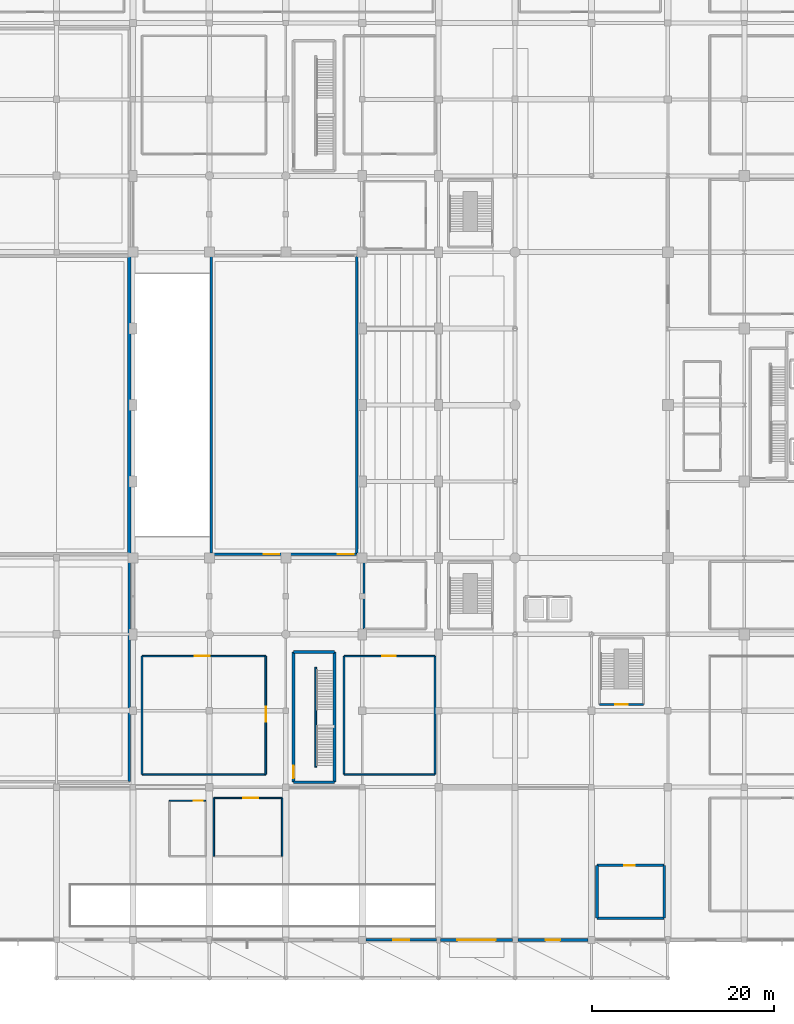
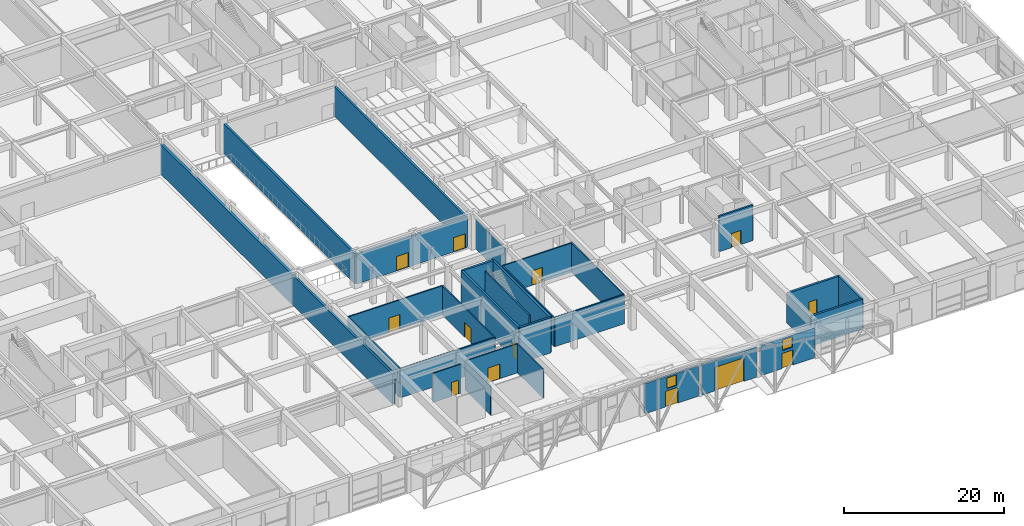
# One storey, part 43 of 62: 31 walls, 13 doors, 2 windows, 15 openings.
"""IFC4 building model written with IfcOpenShell, lengths in metres."""

import ifcopenshell
import ifcopenshell.guid

model = None  # the IFC model being written
_history = None  # IfcOwnerHistory: only IFC2X3 demands one
_inside = {}  # id of a spatial element -> (the spatial element, [elements in it])
_under = {}  # id of a project, library or spatial element -> (it, [spatial elements below it])
_declared = {}  # id of a project -> (the project, [libraries it declares])
_typed = {}  # id of a type object -> (the type object, [elements of that type])
_made_of = {}  # id of a material, layer set ... -> (it, [elements and type objects made of it])


def new_model(schema):
    """Start an empty IFC model of exactly this schema.

    Asked for "IFC4X3", IfcOpenShell would pick the latest addendum, in which some entities
    have other attributes; the version numbers below select the first issue.
    IFC2X3 requires an IfcOwnerHistory on every rooted entity: one is made here for all.
    """
    global model, _history
    if schema == "IFC4X3":
        model = ifcopenshell.file(schema_version=(4, 3, 0, 0))
    else:
        model = ifcopenshell.file(schema=schema)
    _inside.clear()
    _under.clear()
    _declared.clear()
    _typed.clear()
    _made_of.clear()
    _history = None
    if model.schema == "IFC2X3":
        org = make("IfcOrganization", Name="unknown")
        user = make(
            "IfcPersonAndOrganization",
            ThePerson=make("IfcPerson", FamilyName="unknown"),
            TheOrganization=org,
        )
        app = make(
            "IfcApplication",
            ApplicationDeveloper=org,
            Version="unknown",
            ApplicationFullName="unknown",
            ApplicationIdentifier="unknown",
        )
        _history = make(
            "IfcOwnerHistory",
            OwningUser=user,
            OwningApplication=app,
            ChangeAction="ADDED",
            CreationDate=0,
        )
    return model


def make(cls, **values):
    """One entity of the class cls with the attributes given. An attribute that is None is left unset."""
    return model.create_entity(
        cls, **{name: value for name, value in values.items() if value is not None}
    )


def rooted(cls, **values):
    """An entity with a GlobalId (a new one), such as an element, a storey or a relation."""
    return make(cls, GlobalId=ifcopenshell.guid.new(), OwnerHistory=_history, **values)


def si_unit(unit_type, name, prefix=None):
    """IfcSIUnit, for example si_unit("LENGTHUNIT", "METRE", prefix="MILLI")."""
    return make("IfcSIUnit", UnitType=unit_type, Prefix=prefix, Name=name)


def assignment(units):
    """IfcUnitAssignment: the units of a project."""
    return None if units is None else make("IfcUnitAssignment", Units=units)


def point(xyz):
    """IfcCartesianPoint."""
    return None if xyz is None else make("IfcCartesianPoint", Coordinates=xyz)


def direction(xyz):
    """IfcDirection."""
    return None if xyz is None else make("IfcDirection", DirectionRatios=xyz)


def frame(location, z_axis=None, x_axis=None):
    """IfcAxis2Placement3D, a coordinate frame: its origin and axes. An axis left out is left unset."""
    return make(
        "IfcAxis2Placement3D",
        Location=point(location),
        Axis=direction(z_axis),
        RefDirection=direction(x_axis),
    )


def frame_2d(location, x_axis=None):
    """IfcAxis2Placement2D, a coordinate frame in the plane: its origin and x axis."""
    return make(
        "IfcAxis2Placement2D", Location=point(location), RefDirection=direction(x_axis)
    )


def origin():
    """The frame at (0, 0, 0) with its axes left unset."""
    return frame((0.0, 0.0, 0.0))


def place(relative_to, where):
    """IfcLocalPlacement: puts the frame where relative to a parent placement (None: the world)."""
    return make(
        "IfcLocalPlacement", PlacementRelTo=relative_to, RelativePlacement=where
    )


def context(
    kind, dimensions, precision=None, world=None, true_north=None, identifier=None
):
    """IfcGeometricRepresentationContext, for example the 3D "Model" context."""
    return make(
        "IfcGeometricRepresentationContext",
        ContextIdentifier=identifier,
        ContextType=kind,
        CoordinateSpaceDimension=dimensions,
        Precision=precision,
        WorldCoordinateSystem=world,
        TrueNorth=true_north,
    )


def subcontext(parent, identifier, kind, view, scale=None):
    """IfcGeometricRepresentationSubContext, for example "Body" below "Model"."""
    return make(
        "IfcGeometricRepresentationSubContext",
        ContextIdentifier=identifier,
        ContextType=kind,
        ParentContext=parent,
        TargetScale=scale,
        TargetView=view,
    )


def project(units=None, contexts=None):
    """IfcProject with its units and contexts."""
    return rooted(
        "IfcProject",
        Name="project",
        RepresentationContexts=contexts,
        UnitsInContext=assignment(units),
    )


def spatial(cls, under=None, at=None, **own):
    """A site, building, storey or space (cls), placed at a placement, below another one or the project."""
    s = rooted(cls, ObjectPlacement=at, **own)
    if under is not None:
        _under.setdefault(under.id(), (under, []))[1].append(s)
    return s


def profile(cls, at=None, kind="AREA", **sizes):
    """A parametric profile (cls). Its sizes go by their IFC names, for example OverallWidth=200.0."""
    return make(cls, ProfileType=kind, Position=at, **sizes)


def rectangle(**sizes):
    """IfcRectangleProfileDef."""
    return profile("IfcRectangleProfileDef", **sizes)


def extrude(swept, where, along, depth):
    """IfcExtrudedAreaSolid: the profile swept, set in the frame where, extruded along a direction by depth."""
    return make(
        "IfcExtrudedAreaSolid",
        SweptArea=swept,
        Position=where,
        ExtrudedDirection=direction(along),
        Depth=depth,
    )


def shape(context_of_items, identifier, shape_type, items):
    """IfcShapeRepresentation: the items that make up one representation, for example the "Body"."""
    return make(
        "IfcShapeRepresentation",
        ContextOfItems=context_of_items,
        RepresentationIdentifier=identifier,
        RepresentationType=shape_type,
        Items=items,
    )


def material(Name=None, Category=None):
    """IfcMaterial."""
    return make("IfcMaterial", Name=Name, Category=Category)


def layer(
    of_material, thickness, ventilated=None, Name=None, Category=None, Priority=None
):
    """IfcMaterialLayer: one layer of a wall or slab, of a material (None: an air gap)."""
    return make(
        "IfcMaterialLayer",
        Material=of_material,
        LayerThickness=thickness,
        IsVentilated=ventilated,
        Name=Name,
        Category=Category,
        Priority=Priority,
    )


def layer_set(layers, Name=None):
    """IfcMaterialLayerSet."""
    return make("IfcMaterialLayerSet", MaterialLayers=layers, LayerSetName=Name)


def made_of(thing, what):
    """Note that an element or type object is made of a material, layer set ...; save() writes the relation."""
    if what is not None:
        _made_of.setdefault(what.id(), (what, []))[1].append(thing)
    return thing


def type_object(cls, material=None, **own):
    """A type object (cls), such as IfcWallType, which elements share."""
    return made_of(rooted(cls, **own), material)


def element(
    cls,
    number,
    at=None,
    inside=None,
    cuts=None,
    type_object=None,
    material=None,
    context=None,
    identifier="Body",
    shape_type=None,
    held_by="IfcProductDefinitionShape",
    body=None,
    shapes=None,
    **own,
):
    """One element of the class cls, such as IfcWall. Its Tag is "e" and its number.

    at: its placement. inside: the storey or other place that contains it. cuts: it is an
    opening in that element (IfcRelVoidsElement). A single representation is given by context,
    identifier, shape_type and body (its items); several are given by shapes. held_by: the class
    of the entity that holds the representations. save() writes the other relations.
    """
    e = rooted(cls, Tag="e%d" % number, ObjectPlacement=at, **own)
    if body is not None:
        shapes = [shape(context, identifier, shape_type, body)]
    if shapes is not None:
        e.Representation = make(held_by, Representations=shapes)
    if inside is not None:
        _inside.setdefault(inside.id(), (inside, []))[1].append(e)
    if cuts is not None:
        rooted(
            "IfcRelVoidsElement", RelatingBuildingElement=cuts, RelatedOpeningElement=e
        )
    if type_object is not None:
        _typed.setdefault(type_object.id(), (type_object, []))[1].append(e)
    return made_of(e, material)


def fill(opening, filler):
    """IfcRelFillsElement: the door or window that sits in an opening."""
    return rooted(
        "IfcRelFillsElement",
        RelatingOpeningElement=opening,
        RelatedBuildingElement=filler,
    )


def aggregate(whole, parts):
    """IfcRelAggregates: a whole, such as a stair, and the parts it consists of."""
    return rooted("IfcRelAggregates", RelatingObject=whole, RelatedObjects=parts)


def save(model, path):
    """Write the relations noted so far, then the file.

    IfcRelAggregates (storeys below a building ...), IfcRelContainedInSpatialStructure (elements
    in a storey), IfcRelDefinesByType, IfcRelAssociatesMaterial and IfcRelDeclares: one each for
    every whole, place, type object, material and project.
    """
    for whole, parts in _under.values():
        aggregate(whole, parts)
    for where, things in _inside.values():
        rooted(
            "IfcRelContainedInSpatialStructure",
            RelatedElements=things,
            RelatingStructure=where,
        )
    for kind, things in _typed.values():
        rooted("IfcRelDefinesByType", RelatedObjects=things, RelatingType=kind)
    for what, things in _made_of.values():
        rooted("IfcRelAssociatesMaterial", RelatedObjects=things, RelatingMaterial=what)
    for by, libraries in _declared.values():
        rooted("IfcRelDeclares", RelatingContext=by, RelatedDefinitions=libraries)
    model.write(path)


model = new_model("IFC4")

# Units and contexts
model_context = context("Model", 3, precision=1e-05, world=origin(), true_north=direction((0.0, 1.0)))
body_context = subcontext(model_context, "Body", "Model", "MODEL_VIEW")
ifc_project = project(units=[si_unit("LENGTHUNIT", "METRE"), si_unit("AREAUNIT", "SQUARE_METRE"), si_unit("VOLUMEUNIT", "CUBIC_METRE"), si_unit("PLANEANGLEUNIT", "RADIAN"), si_unit("MASSUNIT", "GRAM", prefix="KILO")], contexts=[model_context])

# Site, building, storey
site_placement = place(None, origin())
site = spatial("IfcSite", under=ifc_project, at=site_placement, CompositionType="ELEMENT")
building_placement = place(site_placement, origin())
building = spatial("IfcBuilding", under=site, at=building_placement, Name="Xuanlan Plaza Opera House", CompositionType="ELEMENT")
storey_placement = place(building_placement, origin())
storey = spatial("IfcBuildingStorey", under=building, at=storey_placement, Name="L00", CompositionType="ELEMENT", Elevation=0.0)

# Wall, opening, door
ifc_material_1 = material(Name="Anodised Aluminium 6063-T6 and Rockwool Cladding", Category="aluminium")
ifc_layer_1 = layer(ifc_material_1, 0.360107421875)
ifc_layer_set_1 = layer_set([ifc_layer_1], Name="Anodised Aluminium 6063-T6 and Rockwool Cladding")
wall_type_1 = type_object("IfcWallType", Name="ENV-WL-EW-01", PredefinedType="STANDARD", material=ifc_layer_set_1)
wall_1_placement = place(storey_placement, frame((101.02490234375, 0.0, 0.0), z_axis=(0.0, 0.0, 1.0), x_axis=(1.0, 0.0, 0.0)))
wall_1 = element("IfcWall", 1, at=wall_1_placement, inside=storey, type_object=wall_type_1, Name="Exterior Wall L00-011", PredefinedType="STANDARD", context=body_context, shape_type="SweptSolid", body=[
    extrude(rectangle(XDim=7.875, YDim=0.360107421875, at=frame_2d((3.9375, 0.0))), origin(), (0.0, 0.0, 1.0), 4.580078125),
])
opening_1_placement = place(wall_1_placement, frame((1.8369140625, 0.0, 0.0)))
opening_1 = element("IfcOpeningElement", 2, at=opening_1_placement, cuts=wall_1, Name="Opening SD-02", PredefinedType="OPENING", context=body_context, shape_type="SweptSolid", body=[
    extrude(rectangle(XDim=4.199951171875, YDim=3.60009765625, at=frame_2d((2.10009765625, 1.800048828125))), frame((0.0, 0.18994140625, 0.0), z_axis=(0.0, -1.0, 0.0), x_axis=(1.0, 0.0, 0.0)), (0.0, 0.0, 1.0), 0.380126953125),
])
ifc_material_2 = material(Name="Galvanised Steel Q235B", Category="steel")
door_type_1 = type_object("IfcDoorType", Name="ENV-DR-SD-02", OperationType="ROLLINGUP", PredefinedType="DOOR", material=ifc_material_2)
door_1_placement = place(opening_1_placement, frame((4.199951171875, 0.0, 0.0), z_axis=(0.0, 0.0, 1.0), x_axis=(-1.0, 0.0, 0.0)))
door_1 = element("IfcDoor", 3, at=door_1_placement, inside=storey, type_object=door_type_1, Name="Basement Parking Vehicle Ramp Roller Shutter Gate", OperationType="ROLLINGUP", OverallHeight=3.60009765625, OverallWidth=4.199951171875, PredefinedType="DOOR", context=body_context, shape_type="SweptSolid", body=[
    extrude(rectangle(XDim=4.199951171875, YDim=3.60009765625, at=frame_2d((2.10009765625, 1.800048828125))), frame((0.0, 0.02490234375, 0.0), z_axis=(0.0, -1.0, 0.0), x_axis=(1.0, 0.0, 0.0)), (0.0, 0.0, 1.0), 0.050048828125),
])
fill(opening_1, door_1)

# Wall, openings, door, window
ifc_layer_2 = layer(ifc_material_1, 0.340087890625)
ifc_layer_set_2 = layer_set([ifc_layer_2], Name="Anodised Aluminium 6063-T6 and Rockwool Cladding")
wall_type_2 = type_object("IfcWallType", Name="ENV-WL-EW-02", PredefinedType="STANDARD", material=ifc_layer_set_2)
wall_2_placement = place(storey_placement, frame((109.5, 0.0, 0.0), z_axis=(0.0, 0.0, 1.0), x_axis=(1.0, 0.0, 0.0)))
wall_2 = element("IfcWall", 4, at=wall_2_placement, inside=storey, type_object=wall_type_2, Name="Exterior Wall L00-012", PredefinedType="STANDARD", context=body_context, shape_type="SweptSolid", body=[
    extrude(rectangle(XDim=7.699951171875, YDim=0.340087890625, at=frame_2d((3.85009765625, 0.0))), origin(), (0.0, 0.0, 1.0), 4.580078125),
])
opening_2_placement = place(wall_2_placement, frame((3.050048828125, 0.0, 0.0)))
opening_2 = element("IfcOpeningElement", 5, at=opening_2_placement, cuts=wall_2, Name="Opening ED-03", PredefinedType="OPENING", context=body_context, shape_type="SweptSolid", body=[
    extrude(rectangle(XDim=1.60009765625, YDim=2.300048828125, at=frame_2d((0.800048828125, 1.14990234375))), frame((0.0, 0.179931640625, 0.0), z_axis=(0.0, -1.0, 0.0), x_axis=(1.0, 0.0, 0.0)), (0.0, 0.0, 1.0), 0.360107421875),
])
opening_3_placement = place(wall_2_placement, frame((3.14990234375, 0.0, 2.75)))
opening_3 = element("IfcOpeningElement", 6, at=opening_3_placement, cuts=wall_2, Name="Opening WN-08", PredefinedType="OPENING", context=body_context, shape_type="SweptSolid", body=[
    extrude(rectangle(XDim=1.39990234375, YDim=1.60009765625, at=frame_2d((0.699951171875, 0.800048828125))), frame((0.0, 0.179931640625, 0.0), z_axis=(0.0, -1.0, 0.0), x_axis=(1.0, 0.0, 0.0)), (0.0, 0.0, 1.0), 0.360107421875),
])
ifc_material_3 = material(Name="Anodised Aluminium 6063-T6 and Laminated Safety Glass", Category="aluminium")
door_type_2 = type_object("IfcDoorType", Name="ENV-DR-ED-03", OperationType="DOUBLE_DOOR_SINGLE_SWING", PredefinedType="DOOR", material=ifc_material_3)
door_2_placement = place(opening_2_placement, frame((1.60009765625, 0.0, 0.0), z_axis=(0.0, 0.0, 1.0), x_axis=(-1.0, 0.0, 0.0)))
door_2 = element("IfcDoor", 7, at=door_2_placement, inside=storey, type_object=door_type_2, Name="Main Foyer Pedestrian Entrance Door 08", OperationType="DOUBLE_DOOR_SINGLE_SWING", OverallHeight=2.300048828125, OverallWidth=1.60009765625, PredefinedType="DOOR", context=body_context, shape_type="SweptSolid", body=[
    extrude(rectangle(XDim=1.60009765625, YDim=2.300048828125, at=frame_2d((0.800048828125, 1.14990234375))), frame((0.0, 0.02490234375, 0.0), z_axis=(0.0, -1.0, 0.0), x_axis=(1.0, 0.0, 0.0)), (0.0, 0.0, 1.0), 0.050048828125),
])
fill(opening_2, door_2)
ifc_material_4 = material(Name="Anodised Aluminium 6063-T6 and Low-E Glass", Category="aluminium")
window_type = type_object("IfcWindowType", Name="ENV-WN-WN-08", PartitioningType="SINGLE_PANEL", PredefinedType="WINDOW", material=ifc_material_4)
window_1_placement = place(opening_3_placement, origin())
window_1 = element("IfcWindow", 8, at=window_1_placement, inside=storey, type_object=window_type, Name="Entrance Portal Transom Clerestory 08", OverallHeight=1.60009765625, OverallWidth=1.39990234375, PartitioningType="SINGLE_PANEL", PredefinedType="WINDOW", context=body_context, shape_type="SweptSolid", body=[
    extrude(rectangle(XDim=1.39990234375, YDim=1.60009765625, at=frame_2d((0.699951171875, 0.800048828125))), frame((0.0, 0.030029296875, 0.0), z_axis=(0.0, -1.0, 0.0), x_axis=(1.0, 0.0, 0.0)), (0.0, 0.0, 1.0), 0.06005859375),
])
fill(opening_3, window_1)

ifc_layer_3 = layer(ifc_material_1, 0.27001953125)
ifc_layer_set_3 = layer_set([ifc_layer_3], Name="Anodised Aluminium 6063-T6 and Rockwool Cladding")
wall_type_3 = type_object("IfcWallType", Name="ENV-WL-EW-06", PredefinedType="STANDARD", material=ifc_layer_set_3)
wall_3_placement = place(storey_placement, frame((92.800048828125, 0.0, 0.0), z_axis=(0.0, 0.0, 1.0), x_axis=(1.0, 0.0, 0.0)))
wall_3 = element("IfcWall", 9, at=wall_3_placement, inside=storey, type_object=wall_type_3, Name="Exterior Wall L00-010", PredefinedType="STANDARD", context=body_context, shape_type="SweptSolid", body=[
    extrude(rectangle(XDim=7.77490234375, YDim=0.27001953125, at=frame_2d((3.887451171875, 0.0))), origin(), (0.0, 0.0, 1.0), 4.580078125),
])
opening_4_placement = place(wall_3_placement, frame((2.988037109375, 0.0, 0.0)))
opening_4 = element("IfcOpeningElement", 10, at=opening_4_placement, cuts=wall_3, Name="Opening ED-02", PredefinedType="OPENING", context=body_context, shape_type="SweptSolid", body=[
    extrude(rectangle(XDim=1.800048828125, YDim=2.39990234375, at=frame_2d((0.89990234375, 1.199951171875))), frame((0.0, 0.14501953125, 0.0), z_axis=(0.0, -1.0, 0.0), x_axis=(1.0, 0.0, 0.0)), (0.0, 0.0, 1.0), 0.2900390625),
])
opening_5_placement = place(wall_3_placement, frame((3.18798828125, 0.0, 2.75)))
opening_5 = element("IfcOpeningElement", 11, at=opening_5_placement, cuts=wall_3, Name="Opening WN-08", PredefinedType="OPENING", context=body_context, shape_type="SweptSolid", body=[
    extrude(rectangle(XDim=1.39990234375, YDim=1.60009765625, at=frame_2d((0.699951171875, 0.800048828125))), frame((0.0, 0.14501953125, 0.0), z_axis=(0.0, -1.0, 0.0), x_axis=(1.0, 0.0, 0.0)), (0.0, 0.0, 1.0), 0.2900390625),
])
door_type_3 = type_object("IfcDoorType", Name="ENV-DR-ED-02", OperationType="DOUBLE_DOOR_SINGLE_SWING", PredefinedType="DOOR", material=ifc_material_3)
door_3_placement = place(opening_4_placement, frame((1.800048828125, 0.0, 0.0), z_axis=(0.0, 0.0, 1.0), x_axis=(-1.0, 0.0, 0.0)))
door_3 = element("IfcDoor", 12, at=door_3_placement, inside=storey, type_object=door_type_3, Name="Main Foyer Pedestrian Entrance Door 07", OperationType="DOUBLE_DOOR_SINGLE_SWING", OverallHeight=2.39990234375, OverallWidth=1.800048828125, PredefinedType="DOOR", context=body_context, shape_type="SweptSolid", body=[
    extrude(rectangle(XDim=1.800048828125, YDim=2.39990234375, at=frame_2d((0.89990234375, 1.199951171875))), frame((0.0, 0.02490234375, 0.0), z_axis=(0.0, -1.0, 0.0), x_axis=(1.0, 0.0, 0.0)), (0.0, 0.0, 1.0), 0.050048828125),
])
fill(opening_4, door_3)
window_2_placement = place(opening_5_placement, origin())
window_2 = element("IfcWindow", 13, at=window_2_placement, inside=storey, type_object=window_type, Name="Entrance Portal Transom Clerestory 07", OverallHeight=1.60009765625, OverallWidth=1.39990234375, PartitioningType="SINGLE_PANEL", PredefinedType="WINDOW", context=body_context, shape_type="SweptSolid", body=[
    extrude(rectangle(XDim=1.39990234375, YDim=1.60009765625, at=frame_2d((0.699951171875, 0.800048828125))), frame((0.0, 0.030029296875, 0.0), z_axis=(0.0, -1.0, 0.0), x_axis=(1.0, 0.0, 0.0)), (0.0, 0.0, 1.0), 0.06005859375),
])
fill(opening_5, window_2)

# Walls
ifc_material_5 = material(Name="Gypsum Board and Galvanised Steel Studs", Category="gypsum")
ifc_layer_4 = layer(ifc_material_5, 0.179931640625)
ifc_layer_set_4 = layer_set([ifc_layer_4], Name="Gypsum Board and Galvanised Steel Studs")
wall_type_4 = type_object("IfcWallType", Name="INT-WL-PW-02", PredefinedType="PARTITIONING", material=ifc_layer_set_4)
wall_4_placement = place(storey_placement, frame((92.60009765625, 34.199951171875, 0.0), z_axis=(0.0, 0.0, 1.0), x_axis=(0.0, 1.0, 0.0)))
element("IfcWall", 14, at=wall_4_placement, inside=storey, type_object=wall_type_4, Name="Vomitory Passage South Wall West", PredefinedType="PARTITIONING", context=body_context, shape_type="SweptSolid", body=[
    extrude(rectangle(XDim=7.400146484375, YDim=0.179931640625, at=frame_2d((3.7001953125, 0.0))), origin(), (0.0, 0.0, 1.0), 4.43994140625),
])
wall_5_placement = place(storey_placement, frame((68.199951171875, 18.199951171875, 0.0), z_axis=(0.0, 0.0, 1.0), x_axis=(1.0, 0.0, 0.0)))
element("IfcWall", 15, at=wall_5_placement, inside=storey, type_object=wall_type_4, Name="Opera Box Office and Ticketing Studio Wall South", PredefinedType="PARTITIONING", context=body_context, shape_type="SweptSolid", body=[
    extrude(rectangle(XDim=13.60009765625, YDim=0.179931640625, at=frame_2d((6.800048828125, 0.0))), origin(), (0.0, 0.0, 1.0), 4.43994140625),
])

# Wall, opening, door
wall_6_placement = place(storey_placement, frame((68.199951171875, 31.199951171875, 0.0), z_axis=(0.0, 0.0, 1.0), x_axis=(1.0, 0.0, 0.0)))
wall_6 = element("IfcWall", 16, at=wall_6_placement, inside=storey, type_object=wall_type_4, Name="Opera Box Office and Ticketing Studio Wall North", PredefinedType="PARTITIONING", context=body_context, shape_type="SweptSolid", body=[
    extrude(rectangle(XDim=13.60009765625, YDim=0.179931640625, at=frame_2d((6.800048828125, 0.0))), origin(), (0.0, 0.0, 1.0), 4.43994140625),
])
opening_6_placement = place(wall_6_placement, frame((5.800048828125, 0.0, 0.0)))
opening_6 = element("IfcOpeningElement", 17, at=opening_6_placement, cuts=wall_6, Name="Opening D-08", PredefinedType="OPENING", context=body_context, shape_type="SweptSolid", body=[
    extrude(rectangle(XDim=1.6201171875, YDim=2.219970703125, at=frame_2d((0.81005859375, 1.10986328125))), frame((0.0, 0.099853515625, 0.0), z_axis=(0.0, -1.0, 0.0), x_axis=(1.0, 0.0, 0.0)), (0.0, 0.0, 1.0), 0.199951171875),
])
ifc_material_6 = material(Name="Walnut Hardwood Timber", Category="wood")
door_type_4 = type_object("IfcDoorType", Name="INT-DR-D-08", OperationType="DOUBLE_DOOR_SINGLE_SWING", PredefinedType="DOOR", material=ifc_material_6)
door_4_placement = place(opening_6_placement, origin())
door_4 = element("IfcDoor", 18, at=door_4_placement, inside=storey, type_object=door_type_4, Name="Opera Box Office and Ticketing Studio Door 1", OperationType="DOUBLE_DOOR_SINGLE_SWING", OverallHeight=2.219970703125, OverallWidth=1.6201171875, PredefinedType="DOOR", context=body_context, shape_type="SweptSolid", body=[
    extrude(rectangle(XDim=1.6201171875, YDim=2.219970703125, at=frame_2d((0.81005859375, 1.10986328125))), frame((0.0, 0.02490234375, 0.0), z_axis=(0.0, -1.0, 0.0), x_axis=(1.0, 0.0, 0.0)), (0.0, 0.0, 1.0), 0.050048828125),
])
fill(opening_6, door_4)

# Wall
wall_7_placement = place(storey_placement, frame((68.199951171875, 18.199951171875, 0.0), z_axis=(0.0, 0.0, 1.0), x_axis=(0.0, 1.0, 0.0)))
element("IfcWall", 19, at=wall_7_placement, inside=storey, type_object=wall_type_4, Name="Opera Box Office and Ticketing Studio Wall West", PredefinedType="PARTITIONING", context=body_context, shape_type="SweptSolid", body=[
    extrude(rectangle(XDim=13.0, YDim=0.179931640625, at=frame_2d((6.5, 0.0))), origin(), (0.0, 0.0, 1.0), 4.43994140625),
])

# Wall, opening, door
wall_8_placement = place(storey_placement, frame((81.800048828125, 18.199951171875, 0.0), z_axis=(0.0, 0.0, 1.0), x_axis=(0.0, 1.0, 0.0)))
wall_8 = element("IfcWall", 20, at=wall_8_placement, inside=storey, type_object=wall_type_4, Name="Opera Box Office and Ticketing Studio Wall East", PredefinedType="PARTITIONING", context=body_context, shape_type="SweptSolid", body=[
    extrude(rectangle(XDim=13.0, YDim=0.179931640625, at=frame_2d((6.5, 0.0))), origin(), (0.0, 0.0, 1.0), 4.43994140625),
])
opening_7_placement = place(wall_8_placement, frame((5.800048828125, 0.0, 0.0)))
opening_7 = element("IfcOpeningElement", 21, at=opening_7_placement, cuts=wall_8, Name="Opening D-08", PredefinedType="OPENING", context=body_context, shape_type="SweptSolid", body=[
    extrude(rectangle(XDim=1.6201171875, YDim=2.219970703125, at=frame_2d((0.81005859375, 1.10986328125))), frame((0.0, 0.099853515625, 0.0), z_axis=(0.0, -1.0, 0.0), x_axis=(1.0, 0.0, 0.0)), (0.0, 0.0, 1.0), 0.199951171875),
])
door_5_placement = place(opening_7_placement, origin())
door_5 = element("IfcDoor", 22, at=door_5_placement, inside=storey, type_object=door_type_4, Name="Opera Box Office and Ticketing Studio Door 1", OperationType="DOUBLE_DOOR_SINGLE_SWING", OverallHeight=2.219970703125, OverallWidth=1.6201171875, PredefinedType="DOOR", context=body_context, shape_type="SweptSolid", body=[
    extrude(rectangle(XDim=1.6201171875, YDim=2.219970703125, at=frame_2d((0.81005859375, 1.10986328125))), frame((0.0, 0.02490234375, 0.0), z_axis=(0.0, -1.0, 0.0), x_axis=(1.0, 0.0, 0.0)), (0.0, 0.0, 1.0), 0.050048828125),
])
fill(opening_7, door_5)

# Wall
wall_9_placement = place(storey_placement, frame((90.39990234375, 18.199951171875, 0.0), z_axis=(0.0, 0.0, 1.0), x_axis=(1.0, 0.0, 0.0)))
element("IfcWall", 23, at=wall_9_placement, inside=storey, type_object=wall_type_4, Name="Patron Cloakroom Store Wall South", PredefinedType="PARTITIONING", context=body_context, shape_type="SweptSolid", body=[
    extrude(rectangle(XDim=10.0, YDim=0.179931640625, at=frame_2d((5.0, 0.0))), origin(), (0.0, 0.0, 1.0), 4.43994140625),
])

# Wall, opening, door
wall_10_placement = place(storey_placement, frame((90.39990234375, 31.199951171875, 0.0), z_axis=(0.0, 0.0, 1.0), x_axis=(1.0, 0.0, 0.0)))
wall_10 = element("IfcWall", 24, at=wall_10_placement, inside=storey, type_object=wall_type_4, Name="Patron Cloakroom Store Wall North", PredefinedType="PARTITIONING", context=body_context, shape_type="SweptSolid", body=[
    extrude(rectangle(XDim=10.0, YDim=0.179931640625, at=frame_2d((5.0, 0.0))), origin(), (0.0, 0.0, 1.0), 4.43994140625),
])
opening_8_placement = place(wall_10_placement, frame((4.199951171875, 0.0, 0.0)))
opening_8 = element("IfcOpeningElement", 25, at=opening_8_placement, cuts=wall_10, Name="Opening D-03", PredefinedType="OPENING", context=body_context, shape_type="SweptSolid", body=[
    extrude(rectangle(XDim=1.5, YDim=2.199951171875, at=frame_2d((0.75, 1.10009765625))), frame((0.0, 0.099853515625, 0.0), z_axis=(0.0, -1.0, 0.0), x_axis=(1.0, 0.0, 0.0)), (0.0, 0.0, 1.0), 0.199951171875),
])
door_type_5 = type_object("IfcDoorType", Name="INT-DR-D-03", OperationType="DOUBLE_DOOR_SINGLE_SWING", PredefinedType="DOOR", material=ifc_material_6)
door_6_placement = place(opening_8_placement, origin())
door_6 = element("IfcDoor", 26, at=door_6_placement, inside=storey, type_object=door_type_5, Name="Patron Cloakroom Store Door 1", OperationType="DOUBLE_DOOR_SINGLE_SWING", OverallHeight=2.199951171875, OverallWidth=1.5, PredefinedType="DOOR", context=body_context, shape_type="SweptSolid", body=[
    extrude(rectangle(XDim=1.5, YDim=2.199951171875, at=frame_2d((0.75, 1.10009765625))), frame((0.0, 0.02490234375, 0.0), z_axis=(0.0, -1.0, 0.0), x_axis=(1.0, 0.0, 0.0)), (0.0, 0.0, 1.0), 0.050048828125),
])
fill(opening_8, door_6)

# Walls
for number, where, z_axis, x_axis, name in (
    (27, (90.39990234375, 18.199951171875, 0.0), (0.0, 0.0, 1.0), (0.0, 1.0, 0.0), "Patron Cloakroom Store Wall West"),
    (28, (100.39990234375, 18.199951171875, 0.0), (0.0, 0.0, 1.0), (0.0, 1.0, 0.0), "Patron Cloakroom Store Wall East"),
):
    element("IfcWall", number, at=place(storey_placement, frame(where, z_axis=z_axis, x_axis=x_axis)), inside=storey, type_object=wall_type_4, Name=name, PredefinedType="PARTITIONING", context=body_context, shape_type="SweptSolid", body=[
        extrude(rectangle(XDim=13.0, YDim=0.179931640625, at=frame_2d((6.5, 0.0))), origin(), (0.0, 0.0, 1.0), 4.43994140625),
    ])

# Wall, opening, door
ifc_material_7 = material(Name="Autoclaved Aerated Blockwork Masonry", Category="masonry")
ifc_layer_5 = layer(ifc_material_7, 0.14990234375)
ifc_layer_set_5 = layer_set([ifc_layer_5], Name="Autoclaved Aerated Blockwork Masonry")
wall_type_5 = type_object("IfcWallType", Name="INT-WL-PW-03", PredefinedType="PARTITIONING", material=ifc_layer_set_5)
wall_11_placement = place(storey_placement, frame((76.10009765625, 15.60009765625, 0.0), z_axis=(0.0, 0.0, 1.0), x_axis=(1.0, 0.0, 0.0)))
wall_11 = element("IfcWall", 29, at=wall_11_placement, inside=storey, type_object=wall_type_5, Name="Opera Public WC South Wall North", PredefinedType="PARTITIONING", context=body_context, shape_type="SweptSolid", body=[
    extrude(rectangle(XDim=7.5, YDim=0.14990234375, at=frame_2d((3.75, 0.0))), origin(), (0.0, 0.0, 1.0), 4.43994140625),
])
opening_9_placement = place(wall_11_placement, frame((3.199951171875, 0.0, 0.0)))
opening_9 = element("IfcOpeningElement", 30, at=opening_9_placement, cuts=wall_11, Name="Opening D-14", PredefinedType="OPENING", context=body_context, shape_type="SweptSolid", body=[
    extrude(rectangle(XDim=1.679931640625, YDim=2.239990234375, at=frame_2d((0.83984375, 1.1201171875))), frame((0.0, 0.0849609375, 0.0), z_axis=(0.0, -1.0, 0.0), x_axis=(1.0, 0.0, 0.0)), (0.0, 0.0, 1.0), 0.169921875),
])
ifc_material_8 = material(Name="Oak Hardwood Timber", Category="wood")
door_type_6 = type_object("IfcDoorType", Name="INT-DR-D-14", OperationType="DOUBLE_DOOR_SINGLE_SWING", PredefinedType="DOOR", material=ifc_material_8)
door_7_placement = place(opening_9_placement, origin())
door_7 = element("IfcDoor", 31, at=door_7_placement, inside=storey, type_object=door_type_6, Name="Opera Public WC South Door 1", OperationType="DOUBLE_DOOR_SINGLE_SWING", OverallHeight=2.239990234375, OverallWidth=1.679931640625, PredefinedType="DOOR", context=body_context, shape_type="SweptSolid", body=[
    extrude(rectangle(XDim=1.679931640625, YDim=2.239990234375, at=frame_2d((0.83984375, 1.1201171875))), frame((0.0, 0.02490234375, 0.0), z_axis=(0.0, -1.0, 0.0), x_axis=(1.0, 0.0, 0.0)), (0.0, 0.0, 1.0), 0.050048828125),
])
fill(opening_9, door_7)

# Walls
for number, where, z_axis, x_axis, name in (
    (32, (76.10009765625, 9.199951171875, 0.0), (0.0, 0.0, 1.0), (0.0, 1.0, 0.0), "Opera Public WC South Wall West"),
    (33, (83.60009765625, 9.199951171875, 0.0), (0.0, 0.0, 1.0), (0.0, 1.0, 0.0), "Opera Public WC South Wall East"),
):
    element("IfcWall", number, at=place(storey_placement, frame(where, z_axis=z_axis, x_axis=x_axis)), inside=storey, type_object=wall_type_5, Name=name, PredefinedType="PARTITIONING", context=body_context, shape_type="SweptSolid", body=[
        extrude(rectangle(XDim=6.400146484375, YDim=0.14990234375, at=frame_2d((3.2001953125, 0.0))), origin(), (0.0, 0.0, 1.0), 4.43994140625),
    ])

# Wall, opening, door
wall_12_placement = place(storey_placement, frame((71.199951171875, 15.300048828125, 0.0), z_axis=(0.0, 0.0, 1.0), x_axis=(1.0, 0.0, 0.0)))
wall_12 = element("IfcWall", 34, at=wall_12_placement, inside=storey, type_object=wall_type_5, Name="Opera Accessible WC South Wall North", PredefinedType="PARTITIONING", context=body_context, shape_type="SweptSolid", body=[
    extrude(rectangle(XDim=4.0, YDim=0.14990234375, at=frame_2d((2.0, 0.0))), origin(), (0.0, 0.0, 1.0), 4.43994140625),
])
opening_10_placement = place(wall_12_placement, frame((2.659912109375, 0.0, 0.0)))
opening_10 = element("IfcOpeningElement", 35, at=opening_10_placement, cuts=wall_12, Name="Opening D-02", PredefinedType="OPENING", context=body_context, shape_type="SweptSolid", body=[
    extrude(rectangle(XDim=1.02001953125, YDim=2.10009765625, at=frame_2d((0.510009765625, 1.050048828125))), frame((0.0, 0.0849609375, 0.0), z_axis=(0.0, -1.0, 0.0), x_axis=(1.0, 0.0, 0.0)), (0.0, 0.0, 1.0), 0.169921875),
])
door_type_7 = type_object("IfcDoorType", Name="INT-DR-D-02", OperationType="NOTDEFINED", PredefinedType="DOOR", material=ifc_material_8)
door_8_placement = place(opening_10_placement, origin())
door_8 = element("IfcDoor", 36, at=door_8_placement, inside=storey, type_object=door_type_7, Name="Opera Accessible WC South Door 1", OperationType="SINGLE_SWING_LEFT", OverallHeight=2.10009765625, OverallWidth=1.02001953125, PredefinedType="DOOR", context=body_context, shape_type="SweptSolid", body=[
    extrude(rectangle(XDim=1.02001953125, YDim=2.10009765625, at=frame_2d((0.510009765625, 1.050048828125))), frame((0.0, 0.02490234375, 0.0), z_axis=(0.0, -1.0, 0.0), x_axis=(1.0, 0.0, 0.0)), (0.0, 0.0, 1.0), 0.050048828125),
])
fill(opening_10, door_8)

# Walls
ifc_material_9 = material(Name="Concrete C50", Category="concrete")
ifc_layer_6 = layer(ifc_material_9, 0.3798828125)
ifc_layer_set_6 = layer_set([ifc_layer_6], Name="Concrete C50")
wall_type_6 = type_object("IfcWallType", Name="INT-WL-SW-FW1", PredefinedType="SHEAR", material=ifc_layer_set_6)
wall_13_placement = place(storey_placement, frame((66.800048828125, 42.39990234375, 0.0), z_axis=(0.0, 0.0, 1.0), x_axis=(0.0, 1.0, 0.0)))
element("IfcWall", 37, at=wall_13_placement, inside=storey, type_object=wall_type_6, Name="Main Stage Wall East", PredefinedType="SHEAR", context=body_context, shape_type="SweptSolid", body=[
    extrude(rectangle(XDim=32.800048828125, YDim=0.3798828125, at=frame_2d((16.39990234375, 0.0))), origin(), (0.0, 0.0, 1.0), 4.550048828125),
])
ifc_material_10 = material(Name="Concrete C40", Category="concrete")
ifc_layer_7 = layer(ifc_material_10, 0.199951171875)
ifc_layer_set_7 = layer_set([ifc_layer_7], Name="Concrete C40")
wall_type_7 = type_object("IfcWallType", Name="INT-WL-SW-SPN", PredefinedType="SHEAR", material=ifc_layer_set_7)
wall_14_placement = place(storey_placement, frame((87.300048828125, 19.0, 0.0), z_axis=(0.0, 0.0, 1.0), x_axis=(0.0, 1.0, 0.0)))
element("IfcWall", 38, at=wall_14_placement, inside=storey, type_object=wall_type_7, Name="Stair Structural Spine Wall ST-P3 L00", PredefinedType="SHEAR", context=body_context, shape_type="SweptSolid", body=[
    extrude(rectangle(XDim=11.0, YDim=0.199951171875, at=frame_2d((5.5, 0.0))), origin(), (0.0, 0.0, 1.0), 5.39990234375),
])
ifc_layer_8 = layer(ifc_material_10, 0.300048828125)
ifc_layer_set_8 = layer_set([ifc_layer_8], Name="Concrete C40")
wall_type_8 = type_object("IfcWallType", Name="INT-WL-SW-ST1", PredefinedType="SHEAR", material=ifc_layer_set_8)
for number, where, z_axis, x_axis, name in (
    (39, (84.85009765625, 17.35009765625, 0.0), (0.0, 0.0, 1.0), (1.0, 0.0, 0.0), "Stair Core Wall ST-P3 L00 South"),
    (40, (84.85009765625, 31.64990234375, 0.0), (0.0, 0.0, 1.0), (1.0, 0.0, 0.0), "Stair Core Wall ST-P3 L00 North"),
):
    element("IfcWall", number, at=place(storey_placement, frame(where, z_axis=z_axis, x_axis=x_axis)), inside=storey, type_object=wall_type_8, Name=name, PredefinedType="SHEAR", context=body_context, shape_type="SweptSolid", body=[
        extrude(rectangle(XDim=4.5, YDim=0.300048828125, at=frame_2d((2.25, 0.0))), origin(), (0.0, 0.0, 1.0), 5.39990234375),
    ])

# Wall, opening, door
wall_15_placement = place(storey_placement, frame((84.85009765625, 17.35009765625, 0.0), z_axis=(0.0, 0.0, 1.0), x_axis=(0.0, 1.0, 0.0)))
wall_15 = element("IfcWall", 41, at=wall_15_placement, inside=storey, type_object=wall_type_8, Name="Stair Core Wall ST-P3 L00 West", PredefinedType="SHEAR", context=body_context, shape_type="SweptSolid", body=[
    extrude(rectangle(XDim=14.2998046875, YDim=0.300048828125, at=frame_2d((7.14990234375, 0.0))), origin(), (0.0, 0.0, 1.0), 5.39990234375),
])
opening_11_placement = place(wall_15_placement, frame((0.449951171875, 0.0, 0.0)))
opening_11 = element("IfcOpeningElement", 42, at=opening_11_placement, cuts=wall_15, Name="Opening FD-ST2", PredefinedType="OPENING", context=body_context, shape_type="SweptSolid", body=[
    extrude(rectangle(XDim=1.35009765625, YDim=2.14990234375, at=frame_2d((0.675048828125, 1.074951171875))), frame((0.0, 0.159912109375, 0.0), z_axis=(0.0, -1.0, 0.0), x_axis=(1.0, 0.0, 0.0)), (0.0, 0.0, 1.0), 0.320068359375),
])
door_type_8 = type_object("IfcDoorType", Name="INT-DR-FD-ST2", OperationType="NOTDEFINED", PredefinedType="DOOR", material=ifc_material_2)
door_9_placement = place(opening_11_placement, origin())
door_9 = element("IfcDoor", 43, at=door_9_placement, inside=storey, type_object=door_type_8, Name="Stair Enclosure Fire Door ST-P3 L00", OperationType="SINGLE_SWING_LEFT", OverallHeight=2.14990234375, OverallWidth=1.35009765625, PredefinedType="DOOR", context=body_context, shape_type="SweptSolid", body=[
    extrude(rectangle(XDim=1.35009765625, YDim=2.14990234375, at=frame_2d((0.675048828125, 1.074951171875))), frame((0.0, 0.02490234375, 0.0), z_axis=(0.0, -1.0, 0.0), x_axis=(1.0, 0.0, 0.0)), (0.0, 0.0, 1.0), 0.050048828125),
])
fill(opening_11, door_9)

# Walls
wall_16_placement = place(storey_placement, frame((89.35009765625, 17.35009765625, 0.0), z_axis=(0.0, 0.0, 1.0), x_axis=(0.0, 1.0, 0.0)))
element("IfcWall", 44, at=wall_16_placement, inside=storey, type_object=wall_type_8, Name="Stair Core Wall ST-P3 L00 East", PredefinedType="SHEAR", context=body_context, shape_type="SweptSolid", body=[
    extrude(rectangle(XDim=14.2998046875, YDim=0.300048828125, at=frame_2d((7.14990234375, 0.0))), origin(), (0.0, 0.0, 1.0), 5.39990234375),
])
wall_17_placement = place(storey_placement, frame((66.800048828125, 17.39990234375, 0.0), z_axis=(0.0, 0.0, 1.0), x_axis=(0.0, 1.0, 0.0)))
element("IfcWall", 45, at=wall_17_placement, inside=storey, type_object=wall_type_8, Name="Side Stage South Wall East", PredefinedType="SHEAR", context=body_context, shape_type="SweptSolid", body=[
    extrude(rectangle(XDim=24.920166015625, YDim=0.300048828125, at=frame_2d((12.4599609375, 0.0))), origin(), (0.0, 0.0, 1.0), 4.550048828125),
])

# Wall, openings, doors
wall_18_placement = place(storey_placement, frame((75.800048828125, 42.39990234375, 0.0), z_axis=(0.0, 0.0, 1.0), x_axis=(1.0, 0.0, 0.0)))
wall_18 = element("IfcWall", 46, at=wall_18_placement, inside=storey, type_object=wall_type_8, Name="Auditorium Stalls Wall South", PredefinedType="SHEAR", context=body_context, shape_type="SweptSolid", body=[
    extrude(rectangle(XDim=16.0, YDim=0.300048828125, at=frame_2d((8.0, 0.0))), origin(), (0.0, 0.0, 1.0), 4.550048828125),
])
opening_12_placement = place(wall_18_placement, frame((5.75, 0.0, 0.0)))
opening_12 = element("IfcOpeningElement", 47, at=opening_12_placement, cuts=wall_18, Name="Opening FD-03", PredefinedType="OPENING", context=body_context, shape_type="SweptSolid", body=[
    extrude(rectangle(XDim=1.75, YDim=2.199951171875, at=frame_2d((0.875, 1.10009765625))), frame((0.0, 0.159912109375, 0.0), z_axis=(0.0, -1.0, 0.0), x_axis=(1.0, 0.0, 0.0)), (0.0, 0.0, 1.0), 0.320068359375),
])
opening_13_placement = place(wall_18_placement, frame((13.929931640625, 0.0, 0.0)))
opening_13 = element("IfcOpeningElement", 48, at=opening_13_placement, cuts=wall_18, Name="Opening FD-03", PredefinedType="OPENING", context=body_context, shape_type="SweptSolid", body=[
    extrude(rectangle(XDim=1.75, YDim=2.199951171875, at=frame_2d((0.875, 1.10009765625))), frame((0.0, 0.159912109375, 0.0), z_axis=(0.0, -1.0, 0.0), x_axis=(1.0, 0.0, 0.0)), (0.0, 0.0, 1.0), 0.320068359375),
])
door_type_9 = type_object("IfcDoorType", Name="INT-DR-FD-03", OperationType="DOUBLE_DOOR_SINGLE_SWING", PredefinedType="DOOR", material=ifc_material_2)
door_10_placement = place(opening_12_placement, origin())
door_10 = element("IfcDoor", 49, at=door_10_placement, inside=storey, type_object=door_type_9, Name="Auditorium Stalls Door 1", OperationType="DOUBLE_DOOR_SINGLE_SWING", OverallHeight=2.199951171875, OverallWidth=1.75, PredefinedType="DOOR", context=body_context, shape_type="SweptSolid", body=[
    extrude(rectangle(XDim=1.75, YDim=2.199951171875, at=frame_2d((0.875, 1.10009765625))), frame((0.0, 0.02490234375, 0.0), z_axis=(0.0, -1.0, 0.0), x_axis=(1.0, 0.0, 0.0)), (0.0, 0.0, 1.0), 0.050048828125),
])
fill(opening_12, door_10)
door_11_placement = place(opening_13_placement, origin())
door_11 = element("IfcDoor", 50, at=door_11_placement, inside=storey, type_object=door_type_9, Name="Auditorium Stalls Door 2", OperationType="DOUBLE_DOOR_SINGLE_SWING", OverallHeight=2.199951171875, OverallWidth=1.75, PredefinedType="DOOR", context=body_context, shape_type="SweptSolid", body=[
    extrude(rectangle(XDim=1.75, YDim=2.199951171875, at=frame_2d((0.875, 1.10009765625))), frame((0.0, 0.02490234375, 0.0), z_axis=(0.0, -1.0, 0.0), x_axis=(1.0, 0.0, 0.0)), (0.0, 0.0, 1.0), 0.050048828125),
])
fill(opening_13, door_11)

# Walls
for number, where, z_axis, x_axis, name in (
    (51, (75.800048828125, 42.39990234375, 0.0), (0.0, 0.0, 1.0), (0.0, 1.0, 0.0), "Auditorium Stalls Wall West"),
    (52, (91.800048828125, 42.39990234375, 0.0), (0.0, 0.0, 1.0), (0.0, 1.0, 0.0), "Auditorium Stalls Wall East"),
):
    element("IfcWall", number, at=place(storey_placement, frame(where, z_axis=z_axis, x_axis=x_axis)), inside=storey, type_object=wall_type_8, Name=name, PredefinedType="SHEAR", context=body_context, shape_type="SweptSolid", body=[
        extrude(rectangle(XDim=32.800048828125, YDim=0.300048828125, at=frame_2d((16.39990234375, 0.0))), origin(), (0.0, 0.0, 1.0), 4.550048828125),
    ])
wall_19_placement = place(storey_placement, frame((118.199951171875, 2.39990234375, 0.0), z_axis=(0.0, 0.0, 1.0), x_axis=(1.0, 0.0, 0.0)))
element("IfcWall", 53, at=wall_19_placement, inside=storey, type_object=wall_type_8, Name="Fire Command Centre Wall South", PredefinedType="SHEAR", context=body_context, shape_type="SweptSolid", body=[
    extrude(rectangle(XDim=7.400146484375, YDim=0.300048828125, at=frame_2d((3.7001953125, 0.0))), origin(), (0.0, 0.0, 1.0), 4.550048828125),
])

# Wall, opening, door
wall_20_placement = place(storey_placement, frame((118.199951171875, 8.199951171875, 0.0), z_axis=(0.0, 0.0, 1.0), x_axis=(1.0, 0.0, 0.0)))
wall_20 = element("IfcWall", 54, at=wall_20_placement, inside=storey, type_object=wall_type_8, Name="Fire Command Centre Wall North", PredefinedType="SHEAR", context=body_context, shape_type="SweptSolid", body=[
    extrude(rectangle(XDim=7.400146484375, YDim=0.300048828125, at=frame_2d((3.7001953125, 0.0))), origin(), (0.0, 0.0, 1.0), 4.550048828125),
])
opening_14_placement = place(wall_20_placement, frame((3.0, 0.0, 0.0)))
opening_14 = element("IfcOpeningElement", 55, at=opening_14_placement, cuts=wall_20, Name="Opening FD-01", PredefinedType="OPENING", context=body_context, shape_type="SweptSolid", body=[
    extrude(rectangle(XDim=1.14990234375, YDim=2.14990234375, at=frame_2d((0.574951171875, 1.074951171875))), frame((0.0, 0.159912109375, 0.0), z_axis=(0.0, -1.0, 0.0), x_axis=(1.0, 0.0, 0.0)), (0.0, 0.0, 1.0), 0.320068359375),
])
door_type_10 = type_object("IfcDoorType", Name="INT-DR-FD-01", OperationType="NOTDEFINED", PredefinedType="DOOR", material=ifc_material_2)
door_12_placement = place(opening_14_placement, origin())
door_12 = element("IfcDoor", 56, at=door_12_placement, inside=storey, type_object=door_type_10, Name="Fire Command Centre Door 1", OperationType="SINGLE_SWING_RIGHT", OverallHeight=2.14990234375, OverallWidth=1.14990234375, PredefinedType="DOOR", context=body_context, shape_type="SweptSolid", body=[
    extrude(rectangle(XDim=1.14990234375, YDim=2.14990234375, at=frame_2d((0.574951171875, 1.074951171875))), frame((0.0, 0.02490234375, 0.0), z_axis=(0.0, -1.0, 0.0), x_axis=(1.0, 0.0, 0.0)), (0.0, 0.0, 1.0), 0.050048828125),
])
fill(opening_14, door_12)

# Walls
for number, where, z_axis, x_axis, name in (
    (57, (118.199951171875, 2.39990234375, 0.0), (0.0, 0.0, 1.0), (0.0, 1.0, 0.0), "Fire Command Centre Wall West"),
    (58, (125.60009765625, 2.39990234375, 0.0), (0.0, 0.0, 1.0), (0.0, 1.0, 0.0), "Fire Command Centre Wall East"),
):
    element("IfcWall", number, at=place(storey_placement, frame(where, z_axis=z_axis, x_axis=x_axis)), inside=storey, type_object=wall_type_8, Name=name, PredefinedType="SHEAR", context=body_context, shape_type="SweptSolid", body=[
        extrude(rectangle(XDim=5.800048828125, YDim=0.300048828125, at=frame_2d((2.89990234375, 0.0))), origin(), (0.0, 0.0, 1.0), 4.550048828125),
    ])

# Wall, opening, door
ifc_layer_9 = layer(ifc_material_10, 0.25)
ifc_layer_set_9 = layer_set([ifc_layer_9], Name="Concrete C40")
wall_type_9 = type_object("IfcWallType", Name="INT-WL-SW-ST2", PredefinedType="SHEAR", material=ifc_layer_set_9)
wall_21_placement = place(storey_placement, frame((118.47509765625, 25.875, 0.0), z_axis=(0.0, 0.0, 1.0), x_axis=(1.0, 0.0, 0.0)))
wall_21 = element("IfcWall", 59, at=wall_21_placement, inside=storey, type_object=wall_type_9, Name="Stair Core Wall ST-F3 L00 South", PredefinedType="SHEAR", context=body_context, shape_type="SweptSolid", body=[
    extrude(rectangle(XDim=4.849853515625, YDim=0.25, at=frame_2d((2.4248046875, 0.0))), origin(), (0.0, 0.0, 1.0), 5.39990234375),
])
opening_15_placement = place(wall_21_placement, frame((1.75, 0.0, 0.0)))
opening_15 = element("IfcOpeningElement", 60, at=opening_15_placement, cuts=wall_21, Name="Opening FD-ST2", PredefinedType="OPENING", context=body_context, shape_type="SweptSolid", body=[
    extrude(rectangle(XDim=1.35009765625, YDim=2.14990234375, at=frame_2d((0.675048828125, 1.074951171875))), frame((0.0, 0.135009765625, 0.0), z_axis=(0.0, -1.0, 0.0), x_axis=(1.0, 0.0, 0.0)), (0.0, 0.0, 1.0), 0.27001953125),
])
door_13_placement = place(opening_15_placement, frame((1.35009765625, 0.0, 0.0), z_axis=(0.0, 0.0, 1.0), x_axis=(-1.0, 0.0, 0.0)))
door_13 = element("IfcDoor", 61, at=door_13_placement, inside=storey, type_object=door_type_8, Name="Stair Enclosure Fire Door ST-F3 L00", OperationType="SINGLE_SWING_RIGHT", OverallHeight=2.14990234375, OverallWidth=1.35009765625, PredefinedType="DOOR", context=body_context, shape_type="SweptSolid", body=[
    extrude(rectangle(XDim=1.35009765625, YDim=2.14990234375, at=frame_2d((0.675048828125, 1.074951171875))), frame((0.0, 0.02490234375, 0.0), z_axis=(0.0, -1.0, 0.0), x_axis=(1.0, 0.0, 0.0)), (0.0, 0.0, 1.0), 0.050048828125),
])
fill(opening_15, door_13)

save(model, "model.ifc")
